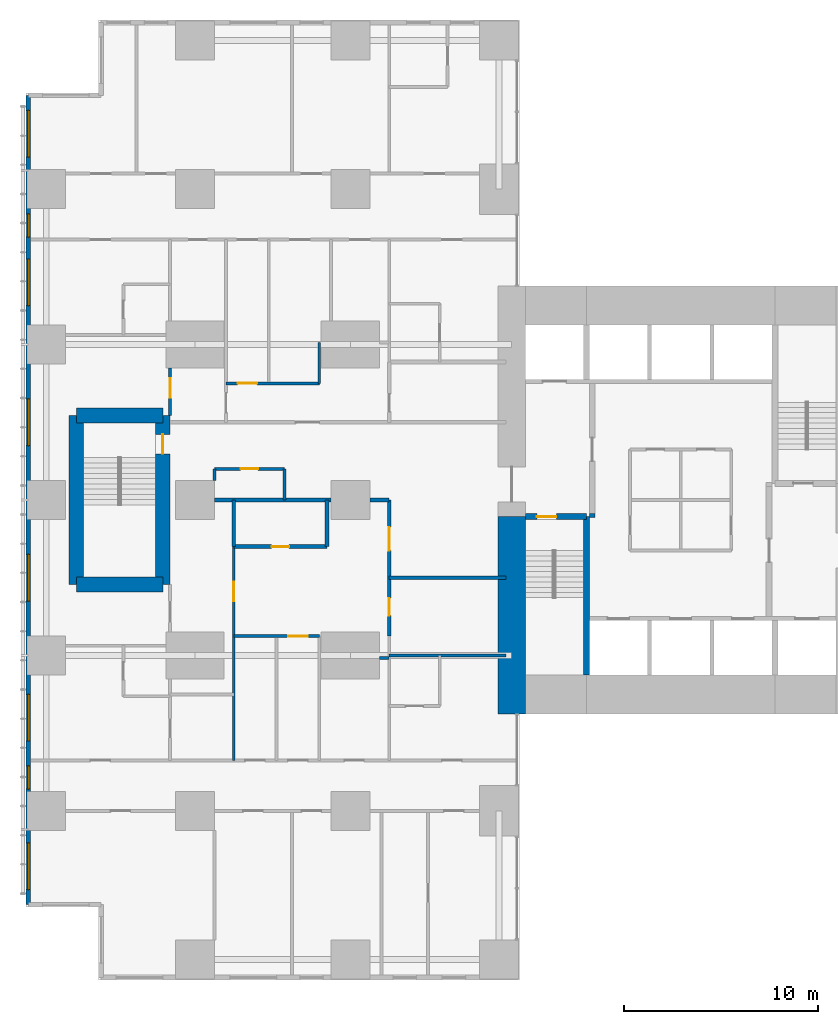
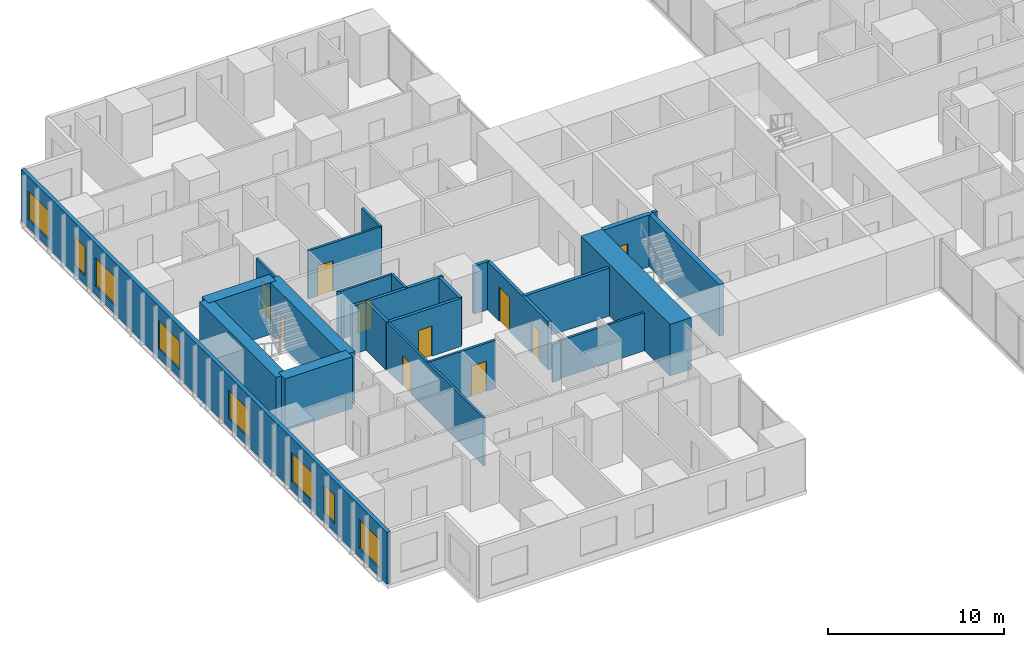
# One storey, part 13 of 20: 26 walls, 10 doors, 8 windows, 18 openings.
"""IFC4 building model written with IfcOpenShell, lengths in metres."""

from ifc_helpers import new_model, si_unit, direction, frame, frame_2d, origin, place, context, subcontext, project, spatial, rectangle, extrude, material, layer, layer_set, type_object, element, fill, save


model = new_model("IFC4")

# Units and contexts
model_context = context("Model", 3, precision=1e-05, world=origin(), true_north=direction((0.0, 1.0)))
body_context = subcontext(model_context, "Body", "Model", "MODEL_VIEW")
ifc_project = project(units=[si_unit("LENGTHUNIT", "METRE"), si_unit("AREAUNIT", "SQUARE_METRE"), si_unit("VOLUMEUNIT", "CUBIC_METRE"), si_unit("PLANEANGLEUNIT", "RADIAN"), si_unit("MASSUNIT", "GRAM", prefix="KILO")], contexts=[model_context])

# Site, building, storey
site_placement = place(None, origin())
site = spatial("IfcSite", under=ifc_project, at=site_placement, CompositionType="ELEMENT")
building_placement = place(site_placement, origin())
building = spatial("IfcBuilding", under=site, at=building_placement, Name="Cleftline Residences", CompositionType="ELEMENT")
storey_placement = place(building_placement, frame((0.0, 0.0, 51.199951171875)))
storey = spatial("IfcBuildingStorey", under=building, at=storey_placement, Name="L12", CompositionType="ELEMENT", Elevation=51.199951171875)

# Walls
ifc_material_1 = material(Name="Concrete B70", Category="concrete")
ifc_layer_1 = layer(ifc_material_1, 1.39990234375)
ifc_layer_set_1 = layer_set([ifc_layer_1], Name="CORE WALL 1400")
wall_type_1 = type_object("IfcWallType", Name="CORE WALL 1400", PredefinedType="SHEAR", material=ifc_layer_set_1)
wall_1_placement = place(storey_placement, frame((24.300048828125, 13.0, 0.0), z_axis=(0.0, 0.0, 1.0), x_axis=(0.0, 1.0, 0.0)))
element("IfcWall", 1, at=wall_1_placement, inside=storey, type_object=wall_type_1, Name="Core wall W0", PredefinedType="SHEAR", context=body_context, shape_type="SweptSolid", body=[
    extrude(rectangle(XDim=10.14990234375, YDim=1.39990234375, at=frame_2d((5.074951171875, 0.0))), origin(), (0.0, 0.0, 1.0), 3.60009765625),
])
ifc_material_2 = material(Name="Concrete B70", Category="concrete")
ifc_layer_2 = layer(ifc_material_2, 0.300048828125)
ifc_layer_set_2 = layer_set([ifc_layer_2], Name="CORE WALL 300")
wall_type_2 = type_object("IfcWallType", Name="CORE WALL 300", PredefinedType="SHEAR", material=ifc_layer_set_2)
wall_2_placement = place(storey_placement, frame((28.14990234375, 15.0, 0.0), z_axis=(0.0, 0.0, 1.0), x_axis=(0.0, 1.0, 0.0)))
element("IfcWall", 2, at=wall_2_placement, inside=storey, type_object=wall_type_2, Name="Core wall SA-E", PredefinedType="SHEAR", context=body_context, shape_type="SweptSolid", body=[
    extrude(rectangle(XDim=8.14990234375, YDim=0.300048828125, at=frame_2d((4.074951171875, 0.0))), origin(), (0.0, 0.0, 1.0), 3.60009765625),
])

# Wall, opening, door
wall_3_placement = place(storey_placement, frame((25.0, 23.14990234375, 0.0), z_axis=(0.0, 0.0, 1.0), x_axis=(1.0, 0.0, 0.0)))
wall_3 = element("IfcWall", 3, at=wall_3_placement, inside=storey, type_object=wall_type_2, Name="Core wall SA-N", PredefinedType="SHEAR", context=body_context, shape_type="SweptSolid", body=[
    extrude(rectangle(XDim=3.14990234375, YDim=0.300048828125, at=frame_2d((1.574951171875, 0.0))), origin(), (0.0, 0.0, 1.0), 3.60009765625),
])
opening_1_placement = place(wall_3_placement, frame((0.60009765625, 0.0, 0.0)))
opening_1 = element("IfcOpeningElement", 4, at=opening_1_placement, cuts=wall_3, Name="Opening D5", PredefinedType="OPENING", context=body_context, shape_type="SweptSolid", body=[
    extrude(rectangle(XDim=1.0, YDim=2.10009765625, at=frame_2d((0.5, 1.050048828125))), frame((0.0, 0.159912109375, 0.0), z_axis=(0.0, -1.0, 0.0), x_axis=(1.0, 0.0, 0.0)), (0.0, 0.0, 1.0), 0.320068359375),
])
ifc_material_3 = material(Name="Steel", Category="steel")
door_type_1 = type_object("IfcDoorType", Name="STAIR DOOR 1000X2100", OperationType="SINGLE_SWING_LEFT", PredefinedType="DOOR", material=ifc_material_3)
door_1_placement = place(opening_1_placement, origin())
door_1 = element("IfcDoor", 5, at=door_1_placement, inside=storey, type_object=door_type_1, Name="Stair A door", OperationType="SINGLE_SWING_RIGHT", OverallHeight=2.10009765625, OverallWidth=1.0, PredefinedType="DOOR", context=body_context, shape_type="SweptSolid", body=[
    extrude(rectangle(XDim=1.0, YDim=2.10009765625, at=frame_2d((0.5, 1.050048828125))), frame((0.0, 0.02490234375, 0.0), z_axis=(0.0, -1.0, 0.0), x_axis=(1.0, 0.0, 0.0)), (0.0, 0.0, 1.0), 0.050048828125),
])
fill(opening_1, door_1)

# Wall, openings, windows
ifc_material_4 = material(Name="Rendered reinforced concrete blockwork", Category="masonry")
ifc_layer_3 = layer(ifc_material_4, 0.25)
ifc_layer_set_3 = layer_set([ifc_layer_3], Name="EXTERNAL WALL 250")
wall_type_3 = type_object("IfcWallType", Name="EXTERNAL WALL 250", PredefinedType="SOLIDWALL", material=ifc_layer_set_3)
wall_4_placement = place(storey_placement, frame((-0.574951171875, 44.824951171875, 0.0), z_axis=(0.0, 0.0, 1.0), x_axis=(0.0, -1.0, 0.0)))
wall_4 = element("IfcWall", 6, at=wall_4_placement, inside=storey, type_object=wall_type_3, Name="External wall", PredefinedType="SOLIDWALL", context=body_context, shape_type="SweptSolid", body=[
    extrude(rectangle(XDim=41.64990234375, YDim=0.25, at=frame_2d((20.824951171875, 0.0))), origin(), (0.0, 0.0, 1.0), 3.60009765625),
])
opening_2_placement = place(wall_4_placement, frame((0.77490234375, 0.0, 0.60009765625)))
opening_2 = element("IfcOpeningElement", 7, at=opening_2_placement, cuts=wall_4, Name="Opening W6", PredefinedType="OPENING", context=body_context, shape_type="SweptSolid", body=[
    extrude(rectangle(XDim=2.39990234375, YDim=2.0, at=frame_2d((1.199951171875, 1.0))), frame((0.0, 0.135009765625, 0.0), z_axis=(0.0, -1.0, 0.0), x_axis=(1.0, 0.0, 0.0)), (0.0, 0.0, 1.0), 0.27001953125),
])
opening_3_placement = place(wall_4_placement, frame((6.10009765625, 0.0, 0.60009765625)))
opening_3 = element("IfcOpeningElement", 8, at=opening_3_placement, cuts=wall_4, Name="Opening W8", PredefinedType="OPENING", context=body_context, shape_type="SweptSolid", body=[
    extrude(rectangle(XDim=1.199951171875, YDim=2.0, at=frame_2d((0.60009765625, 1.0))), frame((0.0, 0.135009765625, 0.0), z_axis=(0.0, -1.0, 0.0), x_axis=(1.0, 0.0, 0.0)), (0.0, 0.0, 1.0), 0.27001953125),
])
opening_4_placement = place(wall_4_placement, frame((8.425048828125, 0.0, 0.60009765625)))
opening_4 = element("IfcOpeningElement", 9, at=opening_4_placement, cuts=wall_4, Name="Opening W6", PredefinedType="OPENING", context=body_context, shape_type="SweptSolid", body=[
    extrude(rectangle(XDim=2.39990234375, YDim=2.0, at=frame_2d((1.199951171875, 1.0))), frame((0.0, 0.135009765625, 0.0), z_axis=(0.0, -1.0, 0.0), x_axis=(1.0, 0.0, 0.0)), (0.0, 0.0, 1.0), 0.27001953125),
])
opening_5_placement = place(wall_4_placement, frame((15.625, 0.0, 0.60009765625)))
opening_5 = element("IfcOpeningElement", 10, at=opening_5_placement, cuts=wall_4, Name="Opening W6", PredefinedType="OPENING", context=body_context, shape_type="SweptSolid", body=[
    extrude(rectangle(XDim=2.39990234375, YDim=2.0, at=frame_2d((1.199951171875, 1.0))), frame((0.0, 0.135009765625, 0.0), z_axis=(0.0, -1.0, 0.0), x_axis=(1.0, 0.0, 0.0)), (0.0, 0.0, 1.0), 0.27001953125),
])
opening_6_placement = place(wall_4_placement, frame((23.625, 0.0, 0.60009765625)))
opening_6 = element("IfcOpeningElement", 11, at=opening_6_placement, cuts=wall_4, Name="Opening W6", PredefinedType="OPENING", context=body_context, shape_type="SweptSolid", body=[
    extrude(rectangle(XDim=2.39990234375, YDim=2.0, at=frame_2d((1.199951171875, 1.0))), frame((0.0, 0.135009765625, 0.0), z_axis=(0.0, -1.0, 0.0), x_axis=(1.0, 0.0, 0.0)), (0.0, 0.0, 1.0), 0.27001953125),
])
opening_7_placement = place(wall_4_placement, frame((30.824951171875, 0.0, 0.60009765625)))
opening_7 = element("IfcOpeningElement", 12, at=opening_7_placement, cuts=wall_4, Name="Opening W6", PredefinedType="OPENING", context=body_context, shape_type="SweptSolid", body=[
    extrude(rectangle(XDim=2.39990234375, YDim=2.0, at=frame_2d((1.199951171875, 1.0))), frame((0.0, 0.135009765625, 0.0), z_axis=(0.0, -1.0, 0.0), x_axis=(1.0, 0.0, 0.0)), (0.0, 0.0, 1.0), 0.27001953125),
])
opening_8_placement = place(wall_4_placement, frame((34.5, 0.0, 0.60009765625)))
opening_8 = element("IfcOpeningElement", 13, at=opening_8_placement, cuts=wall_4, Name="Opening W8", PredefinedType="OPENING", context=body_context, shape_type="SweptSolid", body=[
    extrude(rectangle(XDim=1.199951171875, YDim=2.0, at=frame_2d((0.60009765625, 1.0))), frame((0.0, 0.135009765625, 0.0), z_axis=(0.0, -1.0, 0.0), x_axis=(1.0, 0.0, 0.0)), (0.0, 0.0, 1.0), 0.27001953125),
])
opening_9_placement = place(wall_4_placement, frame((38.47509765625, 0.0, 0.60009765625)))
opening_9 = element("IfcOpeningElement", 14, at=opening_9_placement, cuts=wall_4, Name="Opening W6", PredefinedType="OPENING", context=body_context, shape_type="SweptSolid", body=[
    extrude(rectangle(XDim=2.39990234375, YDim=2.0, at=frame_2d((1.199951171875, 1.0))), frame((0.0, 0.135009765625, 0.0), z_axis=(0.0, -1.0, 0.0), x_axis=(1.0, 0.0, 0.0)), (0.0, 0.0, 1.0), 0.27001953125),
])
ifc_material_5 = material(Name="Aluminium frame, clear double glazing", Category="aluminium")
window_type_1 = type_object("IfcWindowType", Name="WINDOW 1200X2000", PartitioningType="DOUBLE_PANEL_VERTICAL", PredefinedType="WINDOW", material=ifc_material_5)
window_1_placement = place(opening_3_placement, origin())
window_1 = element("IfcWindow", 15, at=window_1_placement, inside=storey, type_object=window_type_1, Name="Window", OverallHeight=2.0, OverallWidth=1.199951171875, PartitioningType="SINGLE_PANEL", PredefinedType="WINDOW", context=body_context, shape_type="SweptSolid", body=[
    extrude(rectangle(XDim=1.199951171875, YDim=2.0, at=frame_2d((0.60009765625, 1.0))), frame((0.0, 0.030029296875, 0.0), z_axis=(0.0, -1.0, 0.0), x_axis=(1.0, 0.0, 0.0)), (0.0, 0.0, 1.0), 0.06005859375),
])
fill(opening_3, window_1)
window_2_placement = place(opening_8_placement, origin())
window_2 = element("IfcWindow", 16, at=window_2_placement, inside=storey, type_object=window_type_1, Name="Window", OverallHeight=2.0, OverallWidth=1.199951171875, PartitioningType="SINGLE_PANEL", PredefinedType="WINDOW", context=body_context, shape_type="SweptSolid", body=[
    extrude(rectangle(XDim=1.199951171875, YDim=2.0, at=frame_2d((0.60009765625, 1.0))), frame((0.0, 0.030029296875, 0.0), z_axis=(0.0, -1.0, 0.0), x_axis=(1.0, 0.0, 0.0)), (0.0, 0.0, 1.0), 0.06005859375),
])
fill(opening_8, window_2)
ifc_material_6 = material(Name="Aluminium frame, clear double glazing", Category="aluminium")
window_type_2 = type_object("IfcWindowType", Name="WINDOW 2400X2000", PartitioningType="DOUBLE_PANEL_VERTICAL", PredefinedType="WINDOW", material=ifc_material_6)
window_3_placement = place(opening_2_placement, origin())
window_3 = element("IfcWindow", 17, at=window_3_placement, inside=storey, type_object=window_type_2, Name="Window", OverallHeight=2.0, OverallWidth=2.39990234375, PartitioningType="SINGLE_PANEL", PredefinedType="WINDOW", context=body_context, shape_type="SweptSolid", body=[
    extrude(rectangle(XDim=2.39990234375, YDim=2.0, at=frame_2d((1.199951171875, 1.0))), frame((0.0, 0.030029296875, 0.0), z_axis=(0.0, -1.0, 0.0), x_axis=(1.0, 0.0, 0.0)), (0.0, 0.0, 1.0), 0.06005859375),
])
fill(opening_2, window_3)
window_4_placement = place(opening_4_placement, origin())
window_4 = element("IfcWindow", 18, at=window_4_placement, inside=storey, type_object=window_type_2, Name="Window", OverallHeight=2.0, OverallWidth=2.39990234375, PartitioningType="SINGLE_PANEL", PredefinedType="WINDOW", context=body_context, shape_type="SweptSolid", body=[
    extrude(rectangle(XDim=2.39990234375, YDim=2.0, at=frame_2d((1.199951171875, 1.0))), frame((0.0, 0.030029296875, 0.0), z_axis=(0.0, -1.0, 0.0), x_axis=(1.0, 0.0, 0.0)), (0.0, 0.0, 1.0), 0.06005859375),
])
fill(opening_4, window_4)
window_5_placement = place(opening_5_placement, origin())
window_5 = element("IfcWindow", 19, at=window_5_placement, inside=storey, type_object=window_type_2, Name="Window", OverallHeight=2.0, OverallWidth=2.39990234375, PartitioningType="SINGLE_PANEL", PredefinedType="WINDOW", context=body_context, shape_type="SweptSolid", body=[
    extrude(rectangle(XDim=2.39990234375, YDim=2.0, at=frame_2d((1.199951171875, 1.0))), frame((0.0, 0.030029296875, 0.0), z_axis=(0.0, -1.0, 0.0), x_axis=(1.0, 0.0, 0.0)), (0.0, 0.0, 1.0), 0.06005859375),
])
fill(opening_5, window_5)
window_6_placement = place(opening_6_placement, origin())
window_6 = element("IfcWindow", 20, at=window_6_placement, inside=storey, type_object=window_type_2, Name="Window", OverallHeight=2.0, OverallWidth=2.39990234375, PartitioningType="SINGLE_PANEL", PredefinedType="WINDOW", context=body_context, shape_type="SweptSolid", body=[
    extrude(rectangle(XDim=2.39990234375, YDim=2.0, at=frame_2d((1.199951171875, 1.0))), frame((0.0, 0.030029296875, 0.0), z_axis=(0.0, -1.0, 0.0), x_axis=(1.0, 0.0, 0.0)), (0.0, 0.0, 1.0), 0.06005859375),
])
fill(opening_6, window_6)
window_7_placement = place(opening_7_placement, origin())
window_7 = element("IfcWindow", 21, at=window_7_placement, inside=storey, type_object=window_type_2, Name="Window", OverallHeight=2.0, OverallWidth=2.39990234375, PartitioningType="SINGLE_PANEL", PredefinedType="WINDOW", context=body_context, shape_type="SweptSolid", body=[
    extrude(rectangle(XDim=2.39990234375, YDim=2.0, at=frame_2d((1.199951171875, 1.0))), frame((0.0, 0.030029296875, 0.0), z_axis=(0.0, -1.0, 0.0), x_axis=(1.0, 0.0, 0.0)), (0.0, 0.0, 1.0), 0.06005859375),
])
fill(opening_7, window_7)
window_8_placement = place(opening_9_placement, origin())
window_8 = element("IfcWindow", 22, at=window_8_placement, inside=storey, type_object=window_type_2, Name="Window", OverallHeight=2.0, OverallWidth=2.39990234375, PartitioningType="SINGLE_PANEL", PredefinedType="WINDOW", context=body_context, shape_type="SweptSolid", body=[
    extrude(rectangle(XDim=2.39990234375, YDim=2.0, at=frame_2d((1.199951171875, 1.0))), frame((0.0, 0.030029296875, 0.0), z_axis=(0.0, -1.0, 0.0), x_axis=(1.0, 0.0, 0.0)), (0.0, 0.0, 1.0), 0.06005859375),
])
fill(opening_9, window_8)

# Wall
ifc_material_7 = material(Name="Concrete blockwork, fire rated", Category="masonry")
ifc_layer_4 = layer(ifc_material_7, 0.199951171875)
ifc_layer_set_4 = layer_set([ifc_layer_4], Name="FIRE WALL 200")
wall_type_4 = type_object("IfcWallType", Name="FIRE WALL 200", PredefinedType="PARTITIONING", material=ifc_layer_set_4)
wall_5_placement = place(storey_placement, frame((18.0, 20.0, 0.0), z_axis=(0.0, 0.0, 1.0), x_axis=(1.0, 0.0, 0.0)))
element("IfcWall", 23, at=wall_5_placement, inside=storey, type_object=wall_type_4, Name="Fire separating wall", PredefinedType="PARTITIONING", context=body_context, shape_type="SweptSolid", body=[
    extrude(rectangle(XDim=6.0, YDim=0.199951171875, at=frame_2d((3.0, 0.0))), origin(), (0.0, 0.0, 1.0), 3.35009765625),
])

# Wall, opening, door
wall_6_placement = place(storey_placement, frame((10.0, 21.60009765625, 0.0), z_axis=(0.0, 0.0, 1.0), x_axis=(1.0, 0.0, 0.0)))
wall_6 = element("IfcWall", 24, at=wall_6_placement, inside=storey, type_object=wall_type_4, Name="Fire separating wall", PredefinedType="PARTITIONING", context=body_context, shape_type="SweptSolid", body=[
    extrude(rectangle(XDim=4.800048828125, YDim=0.199951171875, at=frame_2d((2.39990234375, 0.0))), origin(), (0.0, 0.0, 1.0), 3.35009765625),
])
opening_10_placement = place(wall_6_placement, frame((1.949951171875, 0.0, 0.0)))
opening_10 = element("IfcOpeningElement", 25, at=opening_10_placement, cuts=wall_6, Name="Opening D1F30", PredefinedType="OPENING", context=body_context, shape_type="SweptSolid", body=[
    extrude(rectangle(XDim=0.89990234375, YDim=2.10009765625, at=frame_2d((0.449951171875, 1.050048828125))), frame((0.0, 0.10986328125, 0.0), z_axis=(0.0, -1.0, 0.0), x_axis=(1.0, 0.0, 0.0)), (0.0, 0.0, 1.0), 0.219970703125),
])
ifc_material_8 = material(Name="Timber veneer on solid core", Category="wood")
door_type_2 = type_object("IfcDoorType", Name="DOOR 900X2100 EI 30", OperationType="SINGLE_SWING_LEFT", PredefinedType="DOOR", material=ifc_material_8)
door_2_placement = place(opening_10_placement, origin())
door_2 = element("IfcDoor", 26, at=door_2_placement, inside=storey, type_object=door_type_2, Name="Door to cloakroom wc", OperationType="SINGLE_SWING_LEFT", OverallHeight=2.10009765625, OverallWidth=0.89990234375, PredefinedType="DOOR", context=body_context, shape_type="SweptSolid", body=[
    extrude(rectangle(XDim=0.89990234375, YDim=2.10009765625, at=frame_2d((0.449951171875, 1.050048828125))), frame((0.0, 0.02490234375, 0.0), z_axis=(0.0, -1.0, 0.0), x_axis=(1.0, 0.0, 0.0)), (0.0, 0.0, 1.0), 0.050048828125),
])
fill(opening_10, door_2)

# Walls
wall_7_placement = place(storey_placement, frame((9.0, 24.0, 0.0), z_axis=(0.0, 0.0, 1.0), x_axis=(1.0, 0.0, 0.0)))
element("IfcWall", 27, at=wall_7_placement, inside=storey, type_object=wall_type_4, Name="Fire separating wall", PredefinedType="PARTITIONING", context=body_context, shape_type="SweptSolid", body=[
    extrude(rectangle(XDim=6.0, YDim=0.199951171875, at=frame_2d((3.0, 0.0))), origin(), (0.0, 0.0, 1.0), 3.35009765625),
])
wall_8_placement = place(storey_placement, frame((17.0, 24.0, 0.0), z_axis=(0.0, 0.0, 1.0), x_axis=(1.0, 0.0, 0.0)))
element("IfcWall", 28, at=wall_8_placement, inside=storey, type_object=wall_type_4, Name="Fire separating wall", PredefinedType="PARTITIONING", context=body_context, shape_type="SweptSolid", body=[
    extrude(rectangle(XDim=1.0, YDim=0.199951171875, at=frame_2d((0.5, 0.0))), origin(), (0.0, 0.0, 1.0), 3.35009765625),
])
for number, where, z_axis, x_axis, name in (
    (29, (10.0, 21.60009765625, 0.0), (0.0, 0.0, 1.0), (0.0, 1.0, 0.0), "Fire separating wall"),
    (30, (14.800048828125, 21.60009765625, 0.0), (0.0, 0.0, 1.0), (0.0, 1.0, 0.0), "Fire separating wall"),
):
    element("IfcWall", number, at=place(storey_placement, frame(where, z_axis=z_axis, x_axis=x_axis)), inside=storey, type_object=wall_type_4, Name=name, PredefinedType="PARTITIONING", context=body_context, shape_type="SweptSolid", body=[
        extrude(rectangle(XDim=2.39990234375, YDim=0.199951171875, at=frame_2d((1.199951171875, 0.0))), origin(), (0.0, 0.0, 1.0), 3.35009765625),
    ])

# Wall, openings, doors
wall_9_placement = place(storey_placement, frame((18.0, 17.0, 0.0), z_axis=(0.0, 0.0, 1.0), x_axis=(0.0, 1.0, 0.0)))
wall_9 = element("IfcWall", 31, at=wall_9_placement, inside=storey, type_object=wall_type_4, Name="Fire separating wall", PredefinedType="PARTITIONING", context=body_context, shape_type="SweptSolid", body=[
    extrude(rectangle(XDim=7.0, YDim=0.199951171875, at=frame_2d((3.5, 0.0))), origin(), (0.0, 0.0, 1.0), 3.35009765625),
])
opening_11_placement = place(wall_9_placement, frame((4.39990234375, 0.0, 0.0)))
opening_11 = element("IfcOpeningElement", 32, at=opening_11_placement, cuts=wall_9, Name="Opening D4", PredefinedType="OPENING", context=body_context, shape_type="SweptSolid", body=[
    extrude(rectangle(XDim=1.199951171875, YDim=2.39990234375, at=frame_2d((0.60009765625, 1.199951171875))), frame((0.0, 0.10986328125, 0.0), z_axis=(0.0, -1.0, 0.0), x_axis=(1.0, 0.0, 0.0)), (0.0, 0.0, 1.0), 0.219970703125),
])
opening_12_placement = place(wall_9_placement, frame((1.050048828125, 0.0, 0.0)))
opening_12 = element("IfcOpeningElement", 33, at=opening_12_placement, cuts=wall_9, Name="Opening D1F30", PredefinedType="OPENING", context=body_context, shape_type="SweptSolid", body=[
    extrude(rectangle(XDim=0.89990234375, YDim=2.10009765625, at=frame_2d((0.449951171875, 1.050048828125))), frame((0.0, 0.10986328125, 0.0), z_axis=(0.0, -1.0, 0.0), x_axis=(1.0, 0.0, 0.0)), (0.0, 0.0, 1.0), 0.219970703125),
])
ifc_material_9 = material(Name="Timber veneer on solid core", Category="wood")
door_type_3 = type_object("IfcDoorType", Name="APARTMENT ENTRANCE DOOR 1200X2400", OperationType="SINGLE_SWING_RIGHT", PredefinedType="DOOR", material=ifc_material_9)
door_3_placement = place(opening_11_placement, origin())
door_3 = element("IfcDoor", 34, at=door_3_placement, inside=storey, type_object=door_type_3, Name="Door to residence entrance foyer", OperationType="SINGLE_SWING_LEFT", OverallHeight=2.39990234375, OverallWidth=1.199951171875, PredefinedType="DOOR", context=body_context, shape_type="SweptSolid", body=[
    extrude(rectangle(XDim=1.199951171875, YDim=2.39990234375, at=frame_2d((0.60009765625, 1.199951171875))), frame((0.0, 0.02490234375, 0.0), z_axis=(0.0, -1.0, 0.0), x_axis=(1.0, 0.0, 0.0)), (0.0, 0.0, 1.0), 0.050048828125),
])
fill(opening_11, door_3)
door_4_placement = place(opening_12_placement, origin())
door_4 = element("IfcDoor", 35, at=door_4_placement, inside=storey, type_object=door_type_2, Name="Door to utility room", OperationType="SINGLE_SWING_RIGHT", OverallHeight=2.10009765625, OverallWidth=0.89990234375, PredefinedType="DOOR", context=body_context, shape_type="SweptSolid", body=[
    extrude(rectangle(XDim=0.89990234375, YDim=2.10009765625, at=frame_2d((0.449951171875, 1.050048828125))), frame((0.0, 0.02490234375, 0.0), z_axis=(0.0, -1.0, 0.0), x_axis=(1.0, 0.0, 0.0)), (0.0, 0.0, 1.0), 0.050048828125),
])
fill(opening_12, door_4)

# Walls
wall_10_placement = place(storey_placement, frame((28.300048828125, 23.199951171875, 0.0), z_axis=(0.0, 0.0, 1.0), x_axis=(1.0, 0.0, 0.0)))
element("IfcWall", 36, at=wall_10_placement, inside=storey, type_object=wall_type_4, Name="Fire separating wall", PredefinedType="PARTITIONING", context=body_context, shape_type="SweptSolid", body=[
    extrude(rectangle(XDim=0.300048828125, YDim=0.199951171875, at=frame_2d((0.14990234375, 0.0))), origin(), (0.0, 0.0, 1.0), 3.60009765625),
])
ifc_material_10 = material(Name="Gypsum board on steel studs", Category="steel")
ifc_layer_5 = layer(ifc_material_10, 0.14990234375)
ifc_layer_set_5 = layer_set([ifc_layer_5], Name="PARTITION 150")
wall_type_5 = type_object("IfcWallType", Name="PARTITION 150", PredefinedType="PARTITIONING", material=ifc_layer_set_5)
wall_11_placement = place(storey_placement, frame((17.5, 15.875, 0.0), z_axis=(0.0, 0.0, 1.0), x_axis=(1.0, 0.0, 0.0)))
element("IfcWall", 37, at=wall_11_placement, inside=storey, type_object=wall_type_5, Name="Partition", PredefinedType="PARTITIONING", context=body_context, shape_type="SweptSolid", body=[
    extrude(rectangle(XDim=0.5, YDim=0.14990234375, at=frame_2d((0.25, 0.0))), origin(), (0.0, 0.0, 1.0), 2.634033203125),
])
wall_12_placement = place(storey_placement, frame((18.0, 16.0, 0.0), z_axis=(0.0, 0.0, 1.0), x_axis=(1.0, 0.0, 0.0)))
element("IfcWall", 38, at=wall_12_placement, inside=storey, type_object=wall_type_5, Name="Partition", PredefinedType="PARTITIONING", context=body_context, shape_type="SweptSolid", body=[
    extrude(rectangle(XDim=6.0, YDim=0.14990234375, at=frame_2d((3.0, 0.0))), origin(), (0.0, 0.0, 1.0), 2.634033203125),
])

# Wall, opening, door
wall_13_placement = place(storey_placement, frame((10.0, 17.0, 0.0), z_axis=(0.0, 0.0, 1.0), x_axis=(1.0, 0.0, 0.0)))
wall_13 = element("IfcWall", 39, at=wall_13_placement, inside=storey, type_object=wall_type_5, Name="Partition", PredefinedType="PARTITIONING", context=body_context, shape_type="SweptSolid", body=[
    extrude(rectangle(XDim=4.39990234375, YDim=0.14990234375, at=frame_2d((2.199951171875, 0.0))), origin(), (0.0, 0.0, 1.0), 3.35009765625),
])
opening_13_placement = place(wall_13_placement, frame((2.800048828125, 0.0, 0.0)))
opening_13 = element("IfcOpeningElement", 40, at=opening_13_placement, cuts=wall_13, Name="Opening D2", PredefinedType="OPENING", context=body_context, shape_type="SweptSolid", body=[
    extrude(rectangle(XDim=1.0, YDim=2.10009765625, at=frame_2d((0.5, 1.050048828125))), frame((0.0, 0.0849609375, 0.0), z_axis=(0.0, -1.0, 0.0), x_axis=(1.0, 0.0, 0.0)), (0.0, 0.0, 1.0), 0.169921875),
])
ifc_material_11 = material(Name="Timber veneer on solid core", Category="wood")
door_type_4 = type_object("IfcDoorType", Name="DOOR 1000X2100", OperationType="SINGLE_SWING_LEFT", PredefinedType="DOOR", material=ifc_material_11)
door_5_placement = place(opening_13_placement, origin())
door_5 = element("IfcDoor", 41, at=door_5_placement, inside=storey, type_object=door_type_4, Name="Door to residence passage", OperationType="SINGLE_SWING_LEFT", OverallHeight=2.10009765625, OverallWidth=1.0, PredefinedType="DOOR", context=body_context, shape_type="SweptSolid", body=[
    extrude(rectangle(XDim=1.0, YDim=2.10009765625, at=frame_2d((0.5, 1.050048828125))), frame((0.0, 0.02490234375, 0.0), z_axis=(0.0, -1.0, 0.0), x_axis=(1.0, 0.0, 0.0)), (0.0, 0.0, 1.0), 0.050048828125),
])
fill(opening_13, door_5)

wall_14_placement = place(storey_placement, frame((9.0, 25.60009765625, 0.0), z_axis=(0.0, 0.0, 1.0), x_axis=(1.0, 0.0, 0.0)))
wall_14 = element("IfcWall", 42, at=wall_14_placement, inside=storey, type_object=wall_type_5, Name="Partition", PredefinedType="PARTITIONING", context=body_context, shape_type="SweptSolid", body=[
    extrude(rectangle(XDim=3.60009765625, YDim=0.14990234375, at=frame_2d((1.800048828125, 0.0))), origin(), (0.0, 0.0, 1.0), 3.35009765625),
])
opening_14_placement = place(wall_14_placement, frame((1.35009765625, 0.0, 0.0)))
opening_14 = element("IfcOpeningElement", 43, at=opening_14_placement, cuts=wall_14, Name="Opening D1", PredefinedType="OPENING", context=body_context, shape_type="SweptSolid", body=[
    extrude(rectangle(XDim=0.89990234375, YDim=2.10009765625, at=frame_2d((0.449951171875, 1.050048828125))), frame((0.0, 0.0849609375, 0.0), z_axis=(0.0, -1.0, 0.0), x_axis=(1.0, 0.0, 0.0)), (0.0, 0.0, 1.0), 0.169921875),
])
ifc_material_12 = material(Name="Timber veneer on solid core", Category="wood")
door_type_5 = type_object("IfcDoorType", Name="DOOR 900X2100", OperationType="SINGLE_SWING_LEFT", PredefinedType="DOOR", material=ifc_material_12)
door_6_placement = place(opening_14_placement, origin())
door_6 = element("IfcDoor", 44, at=door_6_placement, inside=storey, type_object=door_type_5, Name="Door to residents' storage room", OperationType="SINGLE_SWING_LEFT", OverallHeight=2.10009765625, OverallWidth=0.89990234375, PredefinedType="DOOR", context=body_context, shape_type="SweptSolid", body=[
    extrude(rectangle(XDim=0.89990234375, YDim=2.10009765625, at=frame_2d((0.449951171875, 1.050048828125))), frame((0.0, 0.02490234375, 0.0), z_axis=(0.0, -1.0, 0.0), x_axis=(1.0, 0.0, 0.0)), (0.0, 0.0, 1.0), 0.050048828125),
])
fill(opening_14, door_6)

wall_15_placement = place(storey_placement, frame((9.60009765625, 30.0, 0.0), z_axis=(0.0, 0.0, 1.0), x_axis=(1.0, 0.0, 0.0)))
wall_15 = element("IfcWall", 45, at=wall_15_placement, inside=storey, type_object=wall_type_5, Name="Partition", PredefinedType="PARTITIONING", context=body_context, shape_type="SweptSolid", body=[
    extrude(rectangle(XDim=4.7998046875, YDim=0.14990234375, at=frame_2d((2.39990234375, 0.0))), origin(), (0.0, 0.0, 1.0), 3.35009765625),
])
opening_15_placement = place(wall_15_placement, frame((0.60009765625, 0.0, 0.0)))
opening_15 = element("IfcOpeningElement", 46, at=opening_15_placement, cuts=wall_15, Name="Opening D2", PredefinedType="OPENING", context=body_context, shape_type="SweptSolid", body=[
    extrude(rectangle(XDim=1.0, YDim=2.10009765625, at=frame_2d((0.5, 1.050048828125))), frame((0.0, 0.0849609375, 0.0), z_axis=(0.0, -1.0, 0.0), x_axis=(1.0, 0.0, 0.0)), (0.0, 0.0, 1.0), 0.169921875),
])
door_7_placement = place(opening_15_placement, origin())
door_7 = element("IfcDoor", 47, at=door_7_placement, inside=storey, type_object=door_type_4, Name="Door to residence passage", OperationType="SINGLE_SWING_RIGHT", OverallHeight=2.10009765625, OverallWidth=1.0, PredefinedType="DOOR", context=body_context, shape_type="SweptSolid", body=[
    extrude(rectangle(XDim=1.0, YDim=2.10009765625, at=frame_2d((0.5, 1.050048828125))), frame((0.0, 0.02490234375, 0.0), z_axis=(0.0, -1.0, 0.0), x_axis=(1.0, 0.0, 0.0)), (0.0, 0.0, 1.0), 0.050048828125),
])
fill(opening_15, door_7)

wall_16_placement = place(storey_placement, frame((6.72509765625, 28.35009765625, 0.0), z_axis=(0.0, 0.0, 1.0), x_axis=(0.0, 1.0, 0.0)))
wall_16 = element("IfcWall", 48, at=wall_16_placement, inside=storey, type_object=wall_type_5, Name="Partition", PredefinedType="PARTITIONING", context=body_context, shape_type="SweptSolid", body=[
    extrude(rectangle(XDim=2.449951171875, YDim=0.14990234375, at=frame_2d((1.22509765625, 0.0))), origin(), (0.0, 0.0, 1.0), 3.35009765625),
])
opening_16_placement = place(wall_16_placement, frame((0.91259765625, 0.0, 0.0)))
opening_16 = element("IfcOpeningElement", 49, at=opening_16_placement, cuts=wall_16, Name="Opening D2", PredefinedType="OPENING", context=body_context, shape_type="SweptSolid", body=[
    extrude(rectangle(XDim=1.0, YDim=2.10009765625, at=frame_2d((0.5, 1.050048828125))), frame((0.0, 0.0849609375, 0.0), z_axis=(0.0, -1.0, 0.0), x_axis=(1.0, 0.0, 0.0)), (0.0, 0.0, 1.0), 0.169921875),
])
door_8_placement = place(opening_16_placement, origin())
door_8 = element("IfcDoor", 50, at=door_8_placement, inside=storey, type_object=door_type_4, Name="Door to staff bedroom", OperationType="SINGLE_SWING_LEFT", OverallHeight=2.10009765625, OverallWidth=1.0, PredefinedType="DOOR", context=body_context, shape_type="SweptSolid", body=[
    extrude(rectangle(XDim=1.0, YDim=2.10009765625, at=frame_2d((0.5, 1.050048828125))), frame((0.0, 0.02490234375, 0.0), z_axis=(0.0, -1.0, 0.0), x_axis=(1.0, 0.0, 0.0)), (0.0, 0.0, 1.0), 0.050048828125),
])
fill(opening_16, door_8)

# Wall
wall_17_placement = place(storey_placement, frame((9.0, 25.0, 0.0), z_axis=(0.0, 0.0, 1.0), x_axis=(0.0, 1.0, 0.0)))
element("IfcWall", 51, at=wall_17_placement, inside=storey, type_object=wall_type_5, Name="Partition", PredefinedType="PARTITIONING", context=body_context, shape_type="SweptSolid", body=[
    extrude(rectangle(XDim=0.60009765625, YDim=0.14990234375, at=frame_2d((0.300048828125, 0.0))), origin(), (0.0, 0.0, 1.0), 3.35009765625),
])

# Wall, opening, door
wall_18_placement = place(storey_placement, frame((10.0, 10.60009765625, 0.0), z_axis=(0.0, 0.0, 1.0), x_axis=(0.0, 1.0, 0.0)))
wall_18 = element("IfcWall", 52, at=wall_18_placement, inside=storey, type_object=wall_type_5, Name="Partition", PredefinedType="PARTITIONING", context=body_context, shape_type="SweptSolid", body=[
    extrude(rectangle(XDim=11.0, YDim=0.14990234375, at=frame_2d((5.5, 0.0))), origin(), (0.0, 0.0, 1.0), 3.35009765625),
])
opening_17_placement = place(wall_18_placement, frame((8.199951171875, 0.0, 0.0)))
opening_17 = element("IfcOpeningElement", 53, at=opening_17_placement, cuts=wall_18, Name="Opening D2F30", PredefinedType="OPENING", context=body_context, shape_type="SweptSolid", body=[
    extrude(rectangle(XDim=1.0, YDim=2.10009765625, at=frame_2d((0.5, 1.050048828125))), frame((0.0, 0.0849609375, 0.0), z_axis=(0.0, -1.0, 0.0), x_axis=(1.0, 0.0, 0.0)), (0.0, 0.0, 1.0), 0.169921875),
])
ifc_material_13 = material(Name="Timber veneer on solid core", Category="wood")
door_type_6 = type_object("IfcDoorType", Name="DOOR 1000X2100 EI 30", OperationType="SINGLE_SWING_LEFT", PredefinedType="DOOR", material=ifc_material_13)
door_9_placement = place(opening_17_placement, origin())
door_9 = element("IfcDoor", 54, at=door_9_placement, inside=storey, type_object=door_type_6, Name="Door to residence lobby", OperationType="SINGLE_SWING_LEFT", OverallHeight=2.10009765625, OverallWidth=1.0, PredefinedType="DOOR", context=body_context, shape_type="SweptSolid", body=[
    extrude(rectangle(XDim=1.0, YDim=2.10009765625, at=frame_2d((0.5, 1.050048828125))), frame((0.0, 0.02490234375, 0.0), z_axis=(0.0, -1.0, 0.0), x_axis=(1.0, 0.0, 0.0)), (0.0, 0.0, 1.0), 0.050048828125),
])
fill(opening_17, door_9)

# Walls
wall_19_placement = place(storey_placement, frame((12.60009765625, 24.0, 0.0), z_axis=(0.0, 0.0, 1.0), x_axis=(0.0, 1.0, 0.0)))
element("IfcWall", 55, at=wall_19_placement, inside=storey, type_object=wall_type_5, Name="Partition", PredefinedType="PARTITIONING", context=body_context, shape_type="SweptSolid", body=[
    extrude(rectangle(XDim=1.60009765625, YDim=0.14990234375, at=frame_2d((0.800048828125, 0.0))), origin(), (0.0, 0.0, 1.0), 3.35009765625),
])
wall_20_placement = place(storey_placement, frame((14.39990234375, 30.0, 0.0), z_axis=(0.0, 0.0, 1.0), x_axis=(0.0, 1.0, 0.0)))
element("IfcWall", 56, at=wall_20_placement, inside=storey, type_object=wall_type_5, Name="Partition", PredefinedType="PARTITIONING", context=body_context, shape_type="SweptSolid", body=[
    extrude(rectangle(XDim=2.10009765625, YDim=0.14990234375, at=frame_2d((1.050048828125, 0.0))), origin(), (0.0, 0.0, 1.0), 3.35009765625),
])
ifc_material_14 = material(Name="Concrete B70", Category="concrete")
ifc_layer_6 = layer(ifc_material_14, 0.75)
ifc_layer_set_6 = layer_set([ifc_layer_6], Name="SHEAR WALL 750")
wall_type_6 = type_object("IfcWallType", Name="SHEAR WALL 750", PredefinedType="SHEAR", material=ifc_layer_set_6)
wall_21_placement = place(storey_placement, frame((1.89990234375, 19.64990234375, 0.0), z_axis=(0.0, 0.0, 1.0), x_axis=(1.0, 0.0, 0.0)))
element("IfcWall", 57, at=wall_21_placement, inside=storey, type_object=wall_type_6, Name="Wing shear wall", PredefinedType="SHEAR", context=body_context, shape_type="SweptSolid", body=[
    extrude(rectangle(XDim=4.4501953125, YDim=0.75, at=frame_2d((2.22509765625, 0.0))), origin(), (0.0, 0.0, 1.0), 3.60009765625),
])

# Wall, opening, door
wall_22_placement = place(storey_placement, frame((6.35009765625, 19.64990234375, 0.0), z_axis=(0.0, 0.0, 1.0), x_axis=(0.0, 1.0, 0.0)))
wall_22 = element("IfcWall", 58, at=wall_22_placement, inside=storey, type_object=wall_type_6, Name="Wing shear wall", PredefinedType="SHEAR", context=body_context, shape_type="SweptSolid", body=[
    extrude(rectangle(XDim=8.7001953125, YDim=0.75, at=frame_2d((4.35009765625, 0.0))), origin(), (0.0, 0.0, 1.0), 3.60009765625),
])
opening_18_placement = place(wall_22_placement, frame((6.72509765625, 0.0, 0.0)))
opening_18 = element("IfcOpeningElement", 59, at=opening_18_placement, cuts=wall_22, Name="Opening D5", PredefinedType="OPENING", context=body_context, shape_type="SweptSolid", body=[
    extrude(rectangle(XDim=1.0, YDim=2.10009765625, at=frame_2d((0.5, 1.050048828125))), frame((0.0, 0.385009765625, 0.0), z_axis=(0.0, -1.0, 0.0), x_axis=(1.0, 0.0, 0.0)), (0.0, 0.0, 1.0), 0.77001953125),
])
door_10_placement = place(opening_18_placement, origin())
door_10 = element("IfcDoor", 60, at=door_10_placement, inside=storey, type_object=door_type_1, Name="Stair W door", OperationType="SINGLE_SWING_LEFT", OverallHeight=2.10009765625, OverallWidth=1.0, PredefinedType="DOOR", context=body_context, shape_type="SweptSolid", body=[
    extrude(rectangle(XDim=1.0, YDim=2.10009765625, at=frame_2d((0.5, 1.050048828125))), frame((0.0, 0.02490234375, 0.0), z_axis=(0.0, -1.0, 0.0), x_axis=(1.0, 0.0, 0.0)), (0.0, 0.0, 1.0), 0.050048828125),
])
fill(opening_18, door_10)

# Walls
wall_23_placement = place(storey_placement, frame((6.35009765625, 28.35009765625, 0.0), z_axis=(0.0, 0.0, 1.0), x_axis=(-1.0, 0.0, 0.0)))
element("IfcWall", 61, at=wall_23_placement, inside=storey, type_object=wall_type_6, Name="Wing shear wall", PredefinedType="SHEAR", context=body_context, shape_type="SweptSolid", body=[
    extrude(rectangle(XDim=4.4501953125, YDim=0.75, at=frame_2d((2.22509765625, 0.0))), origin(), (0.0, 0.0, 1.0), 3.60009765625),
])
wall_24_placement = place(storey_placement, frame((1.89990234375, 28.35009765625, 0.0), z_axis=(0.0, 0.0, 1.0), x_axis=(0.0, -1.0, 0.0)))
element("IfcWall", 62, at=wall_24_placement, inside=storey, type_object=wall_type_6, Name="Wing shear wall", PredefinedType="SHEAR", context=body_context, shape_type="SweptSolid", body=[
    extrude(rectangle(XDim=8.7001953125, YDim=0.75, at=frame_2d((4.35009765625, 0.0))), origin(), (0.0, 0.0, 1.0), 3.60009765625),
])

save(model, "model.ifc")
